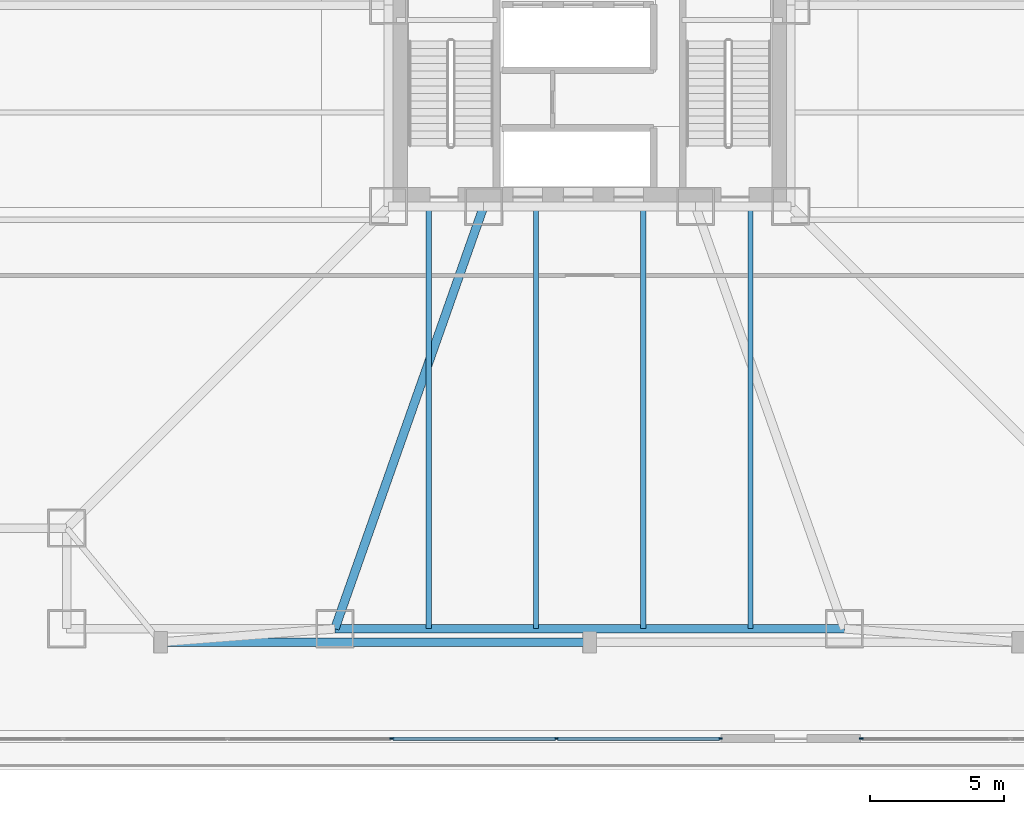
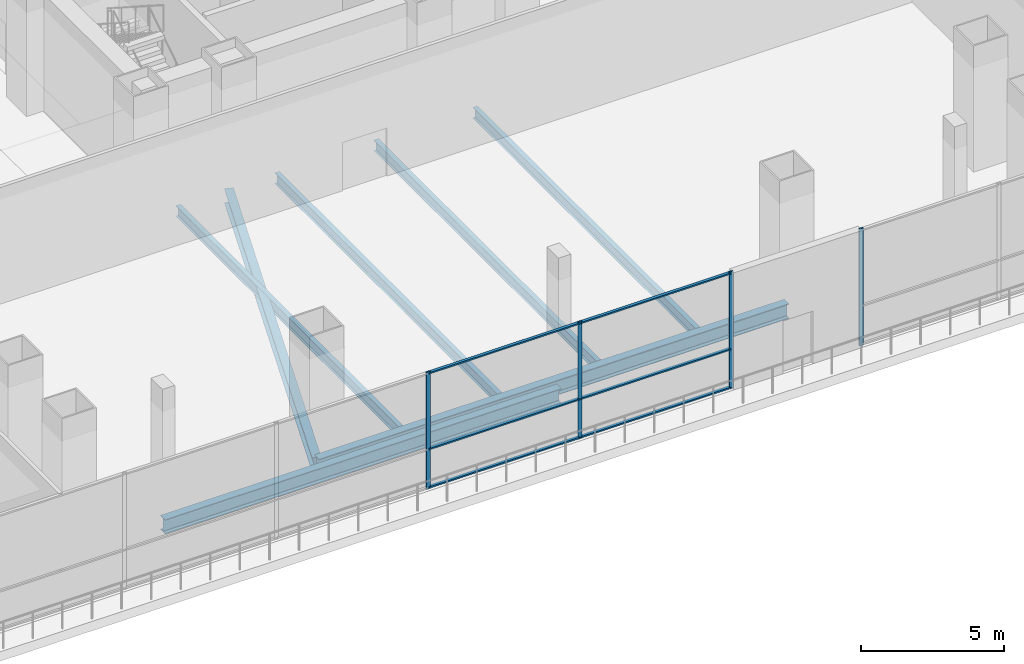
# One storey, part 8 of 36: 10 members, 7 beams, 2 elements without a shape of their own.
"""IFC4 building model written with IfcOpenShell, lengths in metres."""

from ifc_helpers import new_model, si_unit, direction, frame, origin, origin_2d, place, context, subcontext, project, spatial, rectangle, i_section, extrude, material, layer, layer_set, material_profile, profile_set, type_object, element, aggregate, save


model = new_model("IFC4")

# Units and contexts
model_context = context("Model", 3, precision=1e-05, world=origin(), true_north=direction((0.0, 1.0)))
body_context = subcontext(model_context, "Body", "Model", "MODEL_VIEW")
ifc_project = project(units=[si_unit("LENGTHUNIT", "METRE"), si_unit("AREAUNIT", "SQUARE_METRE"), si_unit("VOLUMEUNIT", "CUBIC_METRE"), si_unit("PLANEANGLEUNIT", "RADIAN"), si_unit("MASSUNIT", "GRAM", prefix="KILO")], contexts=[model_context])

# Site, building, storey
site_placement = place(None, origin())
site = spatial("IfcSite", under=ifc_project, at=site_placement, CompositionType="ELEMENT")
building_placement = place(site_placement, origin())
building = spatial("IfcBuilding", under=site, at=building_placement, Name="Trevonay Congress Spire", CompositionType="ELEMENT")
storey_placement = place(building_placement, frame((0.0, 0.0, 5.39990234375)))
storey = spatial("IfcBuildingStorey", under=building, at=storey_placement, Name="L01", CompositionType="ELEMENT", Elevation=5.39990234375)

# Beams
ifc_material_1 = material(Name="Steel ASTM A572 Grade 50", Category="steel")
ifc_material_profile_1 = material_profile(ifc_material_1, i_section(OverallWidth=0.324951171875, OverallDepth=0.615966796875, WebThickness=0.013916015625, FlangeThickness=0.021484375, FilletRadius=0.01806640625, at=origin_2d()), Name="W610x174")
ifc_profile_set_1 = profile_set([ifc_material_profile_1], Name="Steel ASTM A572 Grade 50")
beam_type_1 = type_object("IfcBeamType", Name="BM-GIRD-W610X174", PredefinedType="BEAM", material=ifc_profile_set_1)
beam_1_placement = place(storey_placement, frame((-3.949951171875, -7.5, -0.7080078125), z_axis=(-0.332352826786, -0.943155129619, 0.0), x_axis=(0.943155129619, -0.332352826786, 0.0)))
element("IfcBeam", 1, at=beam_1_placement, inside=storey, type_object=beam_type_1, Name="L01 structural beam BM-L01-RAD-S1", PredefinedType="BEAM", context=body_context, shape_type="SweptSolid", body=[
    extrude(i_section(OverallWidth=0.324951171875, OverallDepth=0.615966796875, WebThickness=0.013916015625, FlangeThickness=0.021484375, FilletRadius=0.01806640625, at=origin_2d()), origin(), (0.0, 0.0, 1.0), 16.69921875),
])
beam_2_placement = place(storey_placement, frame((-16.0, -23.75, -0.7080078125), z_axis=(1.0, 0.0, 0.0), x_axis=(0.0, 1.0, 0.0)))
element("IfcBeam", 2, at=beam_2_placement, inside=storey, type_object=beam_type_1, Name="L01 structural beam BM-L01-PIL-S1", PredefinedType="BEAM", context=body_context, shape_type="SweptSolid", body=[
    extrude(i_section(OverallWidth=0.324951171875, OverallDepth=0.615966796875, WebThickness=0.013916015625, FlangeThickness=0.021484375, FilletRadius=0.01806640625, at=origin_2d()), origin(), (0.0, 0.0, 1.0), 16.0),
])
ifc_material_profile_2 = material_profile(ifc_material_1, i_section(OverallWidth=0.3291015625, OverallDepth=0.635009765625, WebThickness=0.017822265625, FlangeThickness=0.031005859375, FilletRadius=0.01806640625, at=origin_2d()), Name="W610x241")
ifc_profile_set_2 = profile_set([ifc_material_profile_2], Name="Steel ASTM A572 Grade 50")
beam_type_2 = type_object("IfcBeamType", Name="BM-GIRD-W610X241", PredefinedType="BEAM", material=ifc_profile_set_2)
beam_3_placement = place(storey_placement, frame((-9.5, -23.25, -0.71728515625), z_axis=(1.0, 0.0, 0.0), x_axis=(0.0, 1.0, 0.0)))
element("IfcBeam", 3, at=beam_3_placement, inside=storey, type_object=beam_type_2, Name="L01 structural beam BM-L01-MS2", PredefinedType="BEAM", context=body_context, shape_type="SweptSolid", body=[
    extrude(i_section(OverallWidth=0.3291015625, OverallDepth=0.635009765625, WebThickness=0.017822265625, FlangeThickness=0.031005859375, FilletRadius=0.01806640625, at=origin_2d()), origin(), (0.0, 0.0, 1.0), 19.0),
])

# Curtain wall, members
ifc_material_2 = material(Name="Pale Anodised Aluminium EN AW-6063-T6", Category="aluminium")
ifc_layer = layer(ifc_material_2, 0.179931640625, Name="Pale Anodised Aluminium EN AW-6063-T6")
ifc_layer_set = layer_set([ifc_layer], Name="Pale Anodised Aluminium EN AW-6063-T6")
curtain_wall_type = type_object("IfcCurtainWallType", Name="CW-SYS01-PODIUM-PALE-METAL", PredefinedType="NOTDEFINED", material=ifc_layer_set)
curtain_wall_1_placement = place(storey_placement, origin())
curtain_wall_1 = element("IfcCurtainWall", 4, at=curtain_wall_1_placement, inside=storey, type_object=curtain_wall_type, Name="L01 S1 podium curtain wall", PredefinedType="NOTDEFINED")
ifc_material_profile_3 = material_profile(ifc_material_2, rectangle(XDim=0.06005859375, YDim=0.159912109375, at=origin_2d()), Name="CW-MULLION-160-ALUMINIUM")
ifc_profile_set_3 = profile_set([ifc_material_profile_3], Name="Pale Anodised Aluminium EN AW-6063-T6")
member_type_1 = type_object("IfcMemberType", Name="CW-MULLION-160-ALUMINIUM", PredefinedType="MULLION", material=ifc_profile_set_3)
member_1_placement = place(storey_placement, frame((-7.371337890625, -27.35009765625, 0.0), z_axis=(0.0, 0.0, 1.0), x_axis=(0.0, 1.0, 0.0)))
member_1 = element("IfcMember", 5, at=member_1_placement, type_object=member_type_1, Name="CW01 mullion 6", PredefinedType="MULLION", context=body_context, shape_type="SweptSolid", body=[
    extrude(rectangle(XDim=0.06005859375, YDim=0.159912109375, at=origin_2d()), origin(), (0.0, 0.0, 1.0), 5.0),
])
member_2_placement = place(storey_placement, frame((-1.235595703125, -27.35009765625, 0.0), z_axis=(0.0, 0.0, 1.0), x_axis=(0.0, 1.0, 0.0)))
member_2 = element("IfcMember", 6, at=member_2_placement, type_object=member_type_1, Name="CW01 mullion 7", PredefinedType="MULLION", context=body_context, shape_type="SweptSolid", body=[
    extrude(rectangle(XDim=0.06005859375, YDim=0.159912109375, at=origin_2d()), origin(), (0.0, 0.0, 1.0), 5.0),
])
member_3_placement = place(storey_placement, frame((4.8701171875, -27.35009765625, 0.0), z_axis=(0.0, 0.0, 1.0), x_axis=(0.0, 1.0, 0.0)))
member_3 = element("IfcMember", 7, at=member_3_placement, type_object=member_type_1, Name="CW01 mullion 8", PredefinedType="MULLION", context=body_context, shape_type="SweptSolid", body=[
    extrude(rectangle(XDim=0.06005859375, YDim=0.159912109375, at=origin_2d()), origin(), (0.0, 0.0, 1.0), 5.0),
])

# Curtain wall, member
curtain_wall_2_placement = place(storey_placement, origin())
curtain_wall_2 = element("IfcCurtainWall", 8, at=curtain_wall_2_placement, inside=storey, type_object=curtain_wall_type, Name="L01 S2 podium curtain wall", PredefinedType="NOTDEFINED")
member_4_placement = place(storey_placement, frame((10.1298828125, -27.35009765625, 0.0), z_axis=(0.0, 0.0, 1.0), x_axis=(0.0, 1.0, 0.0)))
member_4 = element("IfcMember", 9, at=member_4_placement, type_object=member_type_1, Name="CW01 mullion 1", PredefinedType="MULLION", context=body_context, shape_type="SweptSolid", body=[
    extrude(rectangle(XDim=0.06005859375, YDim=0.159912109375, at=origin_2d()), origin(), (0.0, 0.0, 1.0), 5.0),
])
aggregate(curtain_wall_2, [member_4])

# Member
ifc_material_profile_4 = material_profile(ifc_material_2, rectangle(XDim=0.1201171875, YDim=0.06005859375, at=origin_2d()), Name="CW-TRANSOM-120-ALUMINIUM")
ifc_profile_set_4 = profile_set([ifc_material_profile_4], Name="Pale Anodised Aluminium EN AW-6063-T6")
member_type_2 = type_object("IfcMemberType", Name="CW-TRANSOM-120-ALUMINIUM", PredefinedType="USERDEFINED", material=ifc_profile_set_4)
member_5_placement = place(storey_placement, frame((-7.34130859375, -27.35009765625, 0.06005859375), z_axis=(1.0, 0.0, 0.0), x_axis=(0.0, 1.0, 0.0)))
member_5 = element("IfcMember", 10, at=member_5_placement, type_object=member_type_2, Name="CW01 transom 6.1", ObjectType="TRANSOM", PredefinedType="USERDEFINED", context=body_context, shape_type="SweptSolid", body=[
    extrude(rectangle(XDim=0.1201171875, YDim=0.06005859375, at=origin_2d()), origin(), (0.0, 0.0, 1.0), 6.07568359375),
])

member_6_placement = place(storey_placement, frame((-7.34130859375, -27.35009765625, 1.7001953125), z_axis=(1.0, 0.0, 0.0), x_axis=(0.0, 1.0, 0.0)))
member_6 = element("IfcMember", 11, at=member_6_placement, type_object=member_type_2, Name="CW01 transom 6.2", ObjectType="TRANSOM", PredefinedType="USERDEFINED", context=body_context, shape_type="SweptSolid", body=[
    extrude(rectangle(XDim=0.1201171875, YDim=0.06005859375, at=origin_2d()), origin(), (0.0, 0.0, 1.0), 6.07568359375),
])

member_7_placement = place(storey_placement, frame((-7.34130859375, -27.35009765625, 4.940185546875), z_axis=(1.0, 0.0, 0.0), x_axis=(0.0, 1.0, 0.0)))
member_7 = element("IfcMember", 12, at=member_7_placement, type_object=member_type_2, Name="CW01 transom 6.3", ObjectType="TRANSOM", PredefinedType="USERDEFINED", context=body_context, shape_type="SweptSolid", body=[
    extrude(rectangle(XDim=0.1201171875, YDim=0.06005859375, at=origin_2d()), origin(), (0.0, 0.0, 1.0), 6.07568359375),
])

member_8_placement = place(storey_placement, frame((-1.205810546875, -27.35009765625, 0.06005859375), z_axis=(1.0, 0.0, 0.0), x_axis=(0.0, 1.0, 0.0)))
member_8 = element("IfcMember", 13, at=member_8_placement, type_object=member_type_2, Name="CW01 transom 7.1", ObjectType="TRANSOM", PredefinedType="USERDEFINED", context=body_context, shape_type="SweptSolid", body=[
    extrude(rectangle(XDim=0.1201171875, YDim=0.06005859375, at=origin_2d()), origin(), (0.0, 0.0, 1.0), 6.0458984375),
])

member_9_placement = place(storey_placement, frame((-1.205810546875, -27.35009765625, 1.7001953125), z_axis=(1.0, 0.0, 0.0), x_axis=(0.0, 1.0, 0.0)))
member_9 = element("IfcMember", 14, at=member_9_placement, type_object=member_type_2, Name="CW01 transom 7.2", ObjectType="TRANSOM", PredefinedType="USERDEFINED", context=body_context, shape_type="SweptSolid", body=[
    extrude(rectangle(XDim=0.1201171875, YDim=0.06005859375, at=origin_2d()), origin(), (0.0, 0.0, 1.0), 6.0458984375),
])

member_10_placement = place(storey_placement, frame((-1.205810546875, -27.35009765625, 4.940185546875), z_axis=(1.0, 0.0, 0.0), x_axis=(0.0, 1.0, 0.0)))
member_10 = element("IfcMember", 15, at=member_10_placement, type_object=member_type_2, Name="CW01 transom 7.3", ObjectType="TRANSOM", PredefinedType="USERDEFINED", context=body_context, shape_type="SweptSolid", body=[
    extrude(rectangle(XDim=0.1201171875, YDim=0.06005859375, at=origin_2d()), origin(), (0.0, 0.0, 1.0), 6.0458984375),
])

aggregate(curtain_wall_1, [member_1, member_2, member_3, member_5, member_6, member_7, member_8, member_9, member_10])

# Beams
ifc_material_profile_5 = material_profile(ifc_material_1, i_section(OverallWidth=0.18994140625, OverallDepth=0.45703125, WebThickness=0.009033203125, FlangeThickness=0.014404296875, FilletRadius=0.013916015625, at=origin_2d()), Name="W460x74")
ifc_profile_set_5 = profile_set([ifc_material_profile_5], Name="Steel ASTM A572 Grade 50")
beam_type_3 = type_object("IfcBeamType", Name="JS-COMP-W460X74", PredefinedType="JOIST", material=ifc_profile_set_5)
for number, where, z_axis, x_axis, name in (
    (16, (-6.0, -23.25, -0.62841796875), (0.0, 1.0, 0.0), (-1.0, 0.0, 0.0), "L01 structural beam JS-L01-SH1"),
    (17, (-2.0, -23.25, -0.62841796875), (0.0, 1.0, 0.0), (-1.0, 0.0, 0.0), "L01 structural beam JS-L01-SH2"),
    (18, (2.0, -23.25, -0.62841796875), (0.0, 1.0, 0.0), (-1.0, 0.0, 0.0), "L01 structural beam JS-L01-SH3"),
    (19, (6.0, -23.25, -0.62841796875), (0.0, 1.0, 0.0), (-1.0, 0.0, 0.0), "L01 structural beam JS-L01-SH4"),
):
    element("IfcBeam", number, at=place(storey_placement, frame(where, z_axis=z_axis, x_axis=x_axis)), inside=storey, type_object=beam_type_3, Name=name, PredefinedType="JOIST", context=body_context, shape_type="SweptSolid", body=[
        extrude(i_section(OverallWidth=0.18994140625, OverallDepth=0.45703125, WebThickness=0.009033203125, FlangeThickness=0.014404296875, FilletRadius=0.013916015625, at=origin_2d()), origin(), (0.0, 0.0, 1.0), 15.75),
    ])

save(model, "model.ifc")
